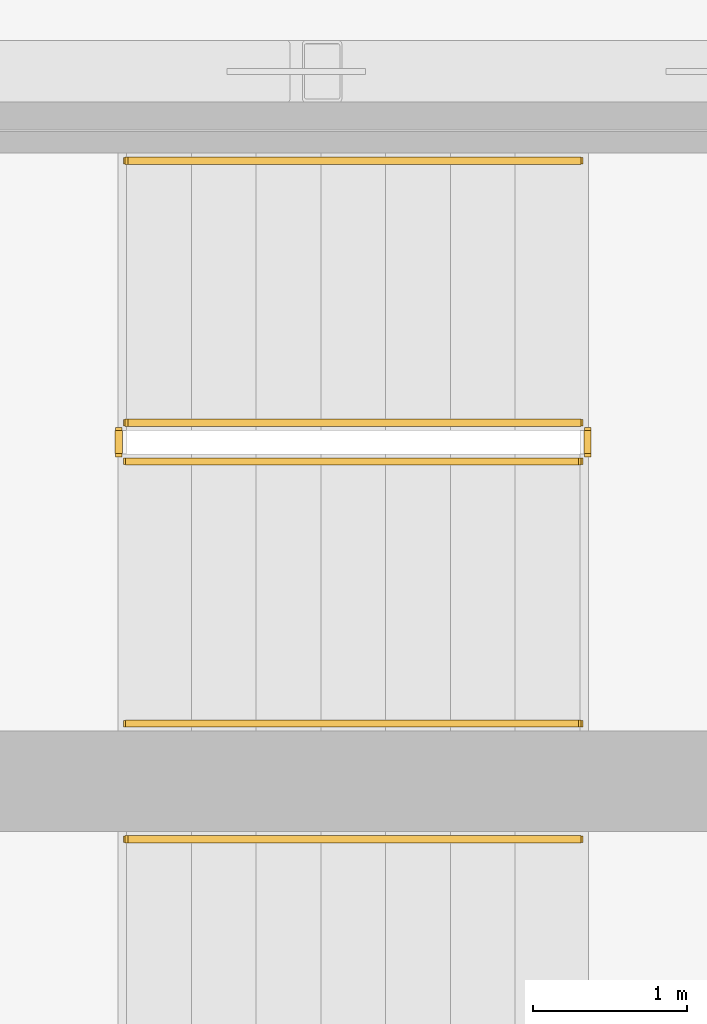
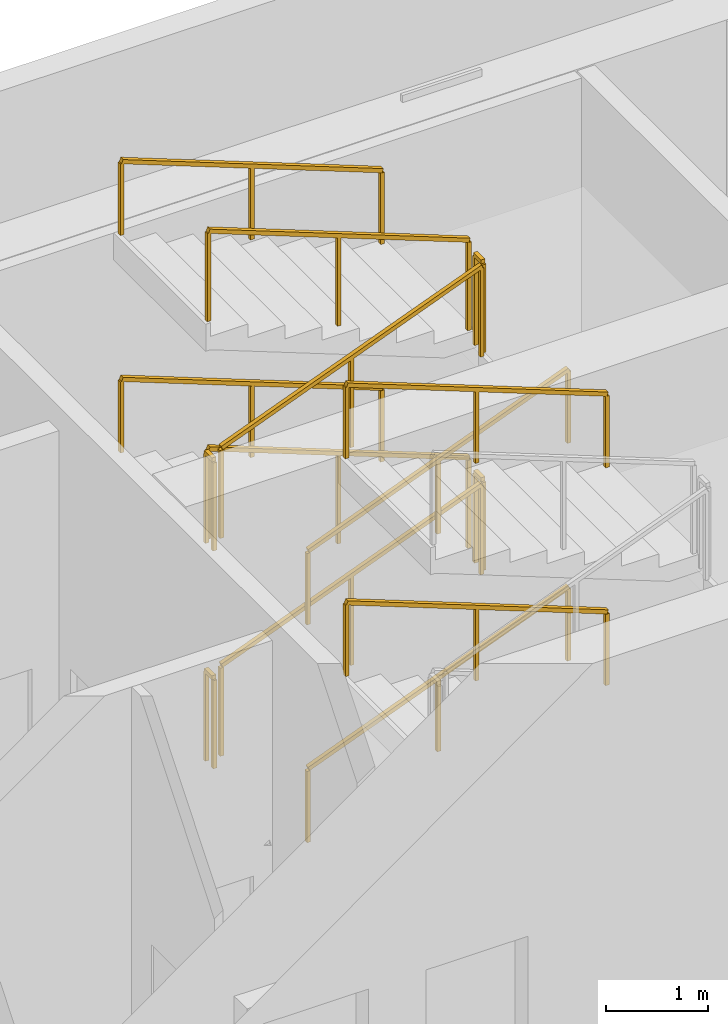
# One storey, part 8 of 8: 14 railings.
"""IFC4 building model written with IfcOpenShell, lengths in metres."""

import ifcopenshell
import ifcopenshell.guid

model = None  # the IFC model being written
_history = None  # IfcOwnerHistory: only IFC2X3 demands one
_inside = {}  # id of a spatial element -> (the spatial element, [elements in it])
_under = {}  # id of a project, library or spatial element -> (it, [spatial elements below it])
_declared = {}  # id of a project -> (the project, [libraries it declares])
_typed = {}  # id of a type object -> (the type object, [elements of that type])
_made_of = {}  # id of a material, layer set ... -> (it, [elements and type objects made of it])


def new_model(schema):
    """Start an empty IFC model of exactly this schema.

    Asked for "IFC4X3", IfcOpenShell would pick the latest addendum, in which some entities
    have other attributes; the version numbers below select the first issue.
    IFC2X3 requires an IfcOwnerHistory on every rooted entity: one is made here for all.
    """
    global model, _history
    if schema == "IFC4X3":
        model = ifcopenshell.file(schema_version=(4, 3, 0, 0))
    else:
        model = ifcopenshell.file(schema=schema)
    _inside.clear()
    _under.clear()
    _declared.clear()
    _typed.clear()
    _made_of.clear()
    _history = None
    if model.schema == "IFC2X3":
        org = make("IfcOrganization", Name="unknown")
        user = make(
            "IfcPersonAndOrganization",
            ThePerson=make("IfcPerson", FamilyName="unknown"),
            TheOrganization=org,
        )
        app = make(
            "IfcApplication",
            ApplicationDeveloper=org,
            Version="unknown",
            ApplicationFullName="unknown",
            ApplicationIdentifier="unknown",
        )
        _history = make(
            "IfcOwnerHistory",
            OwningUser=user,
            OwningApplication=app,
            ChangeAction="ADDED",
            CreationDate=0,
        )
    return model


def make(cls, **values):
    """One entity of the class cls with the attributes given. An attribute that is None is left unset."""
    return model.create_entity(
        cls, **{name: value for name, value in values.items() if value is not None}
    )


def rooted(cls, **values):
    """An entity with a GlobalId (a new one), such as an element, a storey or a relation."""
    return make(cls, GlobalId=ifcopenshell.guid.new(), OwnerHistory=_history, **values)


def si_unit(unit_type, name, prefix=None):
    """IfcSIUnit, for example si_unit("LENGTHUNIT", "METRE", prefix="MILLI")."""
    return make("IfcSIUnit", UnitType=unit_type, Prefix=prefix, Name=name)


def assignment(units):
    """IfcUnitAssignment: the units of a project."""
    return None if units is None else make("IfcUnitAssignment", Units=units)


def point(xyz):
    """IfcCartesianPoint."""
    return None if xyz is None else make("IfcCartesianPoint", Coordinates=xyz)


def direction(xyz):
    """IfcDirection."""
    return None if xyz is None else make("IfcDirection", DirectionRatios=xyz)


def frame(location, z_axis=None, x_axis=None):
    """IfcAxis2Placement3D, a coordinate frame: its origin and axes. An axis left out is left unset."""
    return make(
        "IfcAxis2Placement3D",
        Location=point(location),
        Axis=direction(z_axis),
        RefDirection=direction(x_axis),
    )


def frame_2d(location, x_axis=None):
    """IfcAxis2Placement2D, a coordinate frame in the plane: its origin and x axis."""
    return make(
        "IfcAxis2Placement2D", Location=point(location), RefDirection=direction(x_axis)
    )


def origin():
    """The frame at (0, 0, 0) with its axes left unset."""
    return frame((0.0, 0.0, 0.0))


def origin_2d():
    """The frame at (0, 0) in the plane with its x axis left unset."""
    return frame_2d((0.0, 0.0))


def place(relative_to, where):
    """IfcLocalPlacement: puts the frame where relative to a parent placement (None: the world)."""
    return make(
        "IfcLocalPlacement", PlacementRelTo=relative_to, RelativePlacement=where
    )


def context(
    kind, dimensions, precision=None, world=None, true_north=None, identifier=None
):
    """IfcGeometricRepresentationContext, for example the 3D "Model" context."""
    return make(
        "IfcGeometricRepresentationContext",
        ContextIdentifier=identifier,
        ContextType=kind,
        CoordinateSpaceDimension=dimensions,
        Precision=precision,
        WorldCoordinateSystem=world,
        TrueNorth=true_north,
    )


def subcontext(parent, identifier, kind, view, scale=None):
    """IfcGeometricRepresentationSubContext, for example "Body" below "Model"."""
    return make(
        "IfcGeometricRepresentationSubContext",
        ContextIdentifier=identifier,
        ContextType=kind,
        ParentContext=parent,
        TargetScale=scale,
        TargetView=view,
    )


def project(units=None, contexts=None):
    """IfcProject with its units and contexts."""
    return rooted(
        "IfcProject",
        Name="project",
        RepresentationContexts=contexts,
        UnitsInContext=assignment(units),
    )


def spatial(cls, under=None, at=None, **own):
    """A site, building, storey or space (cls), placed at a placement, below another one or the project."""
    s = rooted(cls, ObjectPlacement=at, **own)
    if under is not None:
        _under.setdefault(under.id(), (under, []))[1].append(s)
    return s


def profile(cls, at=None, kind="AREA", **sizes):
    """A parametric profile (cls). Its sizes go by their IFC names, for example OverallWidth=200.0."""
    return make(cls, ProfileType=kind, Position=at, **sizes)


def rectangle(**sizes):
    """IfcRectangleProfileDef."""
    return profile("IfcRectangleProfileDef", **sizes)


def extrude(swept, where, along, depth):
    """IfcExtrudedAreaSolid: the profile swept, set in the frame where, extruded along a direction by depth."""
    return make(
        "IfcExtrudedAreaSolid",
        SweptArea=swept,
        Position=where,
        ExtrudedDirection=direction(along),
        Depth=depth,
    )


def shape(context_of_items, identifier, shape_type, items):
    """IfcShapeRepresentation: the items that make up one representation, for example the "Body"."""
    return make(
        "IfcShapeRepresentation",
        ContextOfItems=context_of_items,
        RepresentationIdentifier=identifier,
        RepresentationType=shape_type,
        Items=items,
    )


def material(Name=None, Category=None):
    """IfcMaterial."""
    return make("IfcMaterial", Name=Name, Category=Category)


def layer(
    of_material, thickness, ventilated=None, Name=None, Category=None, Priority=None
):
    """IfcMaterialLayer: one layer of a wall or slab, of a material (None: an air gap)."""
    return make(
        "IfcMaterialLayer",
        Material=of_material,
        LayerThickness=thickness,
        IsVentilated=ventilated,
        Name=Name,
        Category=Category,
        Priority=Priority,
    )


def layer_set(layers, Name=None):
    """IfcMaterialLayerSet."""
    return make("IfcMaterialLayerSet", MaterialLayers=layers, LayerSetName=Name)


def made_of(thing, what):
    """Note that an element or type object is made of a material, layer set ...; save() writes the relation."""
    if what is not None:
        _made_of.setdefault(what.id(), (what, []))[1].append(thing)
    return thing


def type_object(cls, material=None, **own):
    """A type object (cls), such as IfcWallType, which elements share."""
    return made_of(rooted(cls, **own), material)


def element(
    cls,
    number,
    at=None,
    inside=None,
    cuts=None,
    type_object=None,
    material=None,
    context=None,
    identifier="Body",
    shape_type=None,
    held_by="IfcProductDefinitionShape",
    body=None,
    shapes=None,
    **own,
):
    """One element of the class cls, such as IfcWall. Its Tag is "e" and its number.

    at: its placement. inside: the storey or other place that contains it. cuts: it is an
    opening in that element (IfcRelVoidsElement). A single representation is given by context,
    identifier, shape_type and body (its items); several are given by shapes. held_by: the class
    of the entity that holds the representations. save() writes the other relations.
    """
    e = rooted(cls, Tag="e%d" % number, ObjectPlacement=at, **own)
    if body is not None:
        shapes = [shape(context, identifier, shape_type, body)]
    if shapes is not None:
        e.Representation = make(held_by, Representations=shapes)
    if inside is not None:
        _inside.setdefault(inside.id(), (inside, []))[1].append(e)
    if cuts is not None:
        rooted(
            "IfcRelVoidsElement", RelatingBuildingElement=cuts, RelatedOpeningElement=e
        )
    if type_object is not None:
        _typed.setdefault(type_object.id(), (type_object, []))[1].append(e)
    return made_of(e, material)


def aggregate(whole, parts):
    """IfcRelAggregates: a whole, such as a stair, and the parts it consists of."""
    return rooted("IfcRelAggregates", RelatingObject=whole, RelatedObjects=parts)


def save(model, path):
    """Write the relations noted so far, then the file.

    IfcRelAggregates (storeys below a building ...), IfcRelContainedInSpatialStructure (elements
    in a storey), IfcRelDefinesByType, IfcRelAssociatesMaterial and IfcRelDeclares: one each for
    every whole, place, type object, material and project.
    """
    for whole, parts in _under.values():
        aggregate(whole, parts)
    for where, things in _inside.values():
        rooted(
            "IfcRelContainedInSpatialStructure",
            RelatedElements=things,
            RelatingStructure=where,
        )
    for kind, things in _typed.values():
        rooted("IfcRelDefinesByType", RelatedObjects=things, RelatingType=kind)
    for what, things in _made_of.values():
        rooted("IfcRelAssociatesMaterial", RelatedObjects=things, RelatingMaterial=what)
    for by, libraries in _declared.values():
        rooted("IfcRelDeclares", RelatingContext=by, RelatedDefinitions=libraries)
    model.write(path)


model = new_model("IFC4")

# Units and contexts
model_context = context("Model", 3, precision=1e-05, world=origin(), true_north=direction((0.0, 1.0)))
body_context = subcontext(model_context, "Body", "Model", "MODEL_VIEW")
ifc_project = project(units=[si_unit("LENGTHUNIT", "METRE"), si_unit("AREAUNIT", "SQUARE_METRE"), si_unit("VOLUMEUNIT", "CUBIC_METRE"), si_unit("PLANEANGLEUNIT", "RADIAN"), si_unit("MASSUNIT", "GRAM", prefix="KILO")], contexts=[model_context])

# Site, building, storey
site_placement = place(None, origin())
site = spatial("IfcSite", under=ifc_project, at=site_placement, CompositionType="ELEMENT")
building_placement = place(site_placement, origin())
building = spatial("IfcBuilding", under=site, at=building_placement, Name="Caeloran Harvest Quay", CompositionType="ELEMENT")
storey_placement = place(building_placement, frame((0.0, 0.0, 106.199951171875)))
storey = spatial("IfcBuildingStorey", under=building, at=storey_placement, Name="L24", CompositionType="ELEMENT", Elevation=106.199951171875)

# Railings
ifc_material_1 = material(Name="Painted Steel Baluster and Top-Rail Stair Guard", Category="steel")
ifc_layer_1 = layer(ifc_material_1, 0.050048828125, Name="Painted Steel Baluster and Top-Rail Stair Guard")
ifc_layer_set_1 = layer_set([ifc_layer_1], Name="Painted Steel Baluster and Top-Rail Stair Guard")
railing_type_1 = type_object("IfcRailingType", Name="STAIR-GUARD-1100", PredefinedType="GUARDRAIL", material=ifc_layer_set_1)
railing_1_placement = place(storey_placement, frame((15.89990234375, 38.25, 0.16259765625)))
element("IfcRailing", 1, at=railing_1_placement, inside=storey, type_object=railing_type_1, Name="L24 ST-C1 stair guard 1", PredefinedType="GUARDRAIL", context=body_context, shape_type="SweptSolid", body=[
    extrude(rectangle(XDim=0.048095703125, YDim=0.048095703125, at=origin_2d()), frame((0.0, 0.0, 1.076171875), z_axis=(0.932641246608, 0.0, 0.360805079129), x_axis=(0.0, 1.0, 0.0)), (0.0, 0.0, 1.0), 3.152587890625),
    extrude(rectangle(XDim=0.0419921875, YDim=0.0419921875, at=origin_2d()), origin(), (0.0, 0.0, 1.0), 1.052001953125),
    extrude(rectangle(XDim=0.0419921875, YDim=0.0419921875, at=origin_2d()), frame((1.47021484375, 0.0, 0.56884765625)), (0.0, 0.0, 1.0), 1.052001953125),
    extrude(rectangle(XDim=0.0419921875, YDim=0.0419921875, at=origin_2d()), frame((2.940185546875, 0.0, 1.137451171875)), (0.0, 0.0, 1.0), 1.052001953125),
])
railing_2_placement = place(storey_placement, frame((18.889892578125, 38.300048828125, 1.300048828125)))
element("IfcRailing", 2, at=railing_2_placement, inside=storey, type_object=railing_type_1, Name="L24 ST-C1 stair guard 2", PredefinedType="GUARDRAIL", context=body_context, shape_type="SweptSolid", body=[
    extrude(rectangle(XDim=0.048095703125, YDim=0.048095703125, at=origin_2d()), frame((0.0, 0.0, 1.076171875), z_axis=(0.0, 1.0, 0.0), x_axis=(-1.0, 0.0, 0.0)), (0.0, 0.0, 1.0), 0.14990234375),
    extrude(rectangle(XDim=0.0419921875, YDim=0.0419921875, at=origin_2d()), origin(), (0.0, 0.0, 1.0), 1.052001953125),
    extrude(rectangle(XDim=0.0419921875, YDim=0.0419921875, at=origin_2d()), frame((0.0, 0.14990234375, 0.0)), (0.0, 0.0, 1.0), 1.052001953125),
])
railing_3_placement = place(storey_placement, frame((18.840087890625, 38.5, 1.462646484375)))
element("IfcRailing", 3, at=railing_3_placement, inside=storey, type_object=railing_type_1, Name="L24 ST-C1 stair guard 3", PredefinedType="GUARDRAIL", context=body_context, shape_type="SweptSolid", body=[
    extrude(rectangle(XDim=0.048095703125, YDim=0.048095703125, at=origin_2d()), frame((0.0, 0.0, 1.076171875), z_axis=(-0.932641246608, 0.0, 0.360805079129), x_axis=(0.0, -1.0, 0.0)), (0.0, 0.0, 1.0), 3.152587890625),
    extrude(rectangle(XDim=0.0419921875, YDim=0.0419921875, at=origin_2d()), origin(), (0.0, 0.0, 1.0), 1.052001953125),
    extrude(rectangle(XDim=0.0419921875, YDim=0.0419921875, at=origin_2d()), frame((-1.47021484375, 0.0, 0.56884765625)), (0.0, 0.0, 1.0), 1.052001953125),
    extrude(rectangle(XDim=0.0419921875, YDim=0.0419921875, at=origin_2d()), frame((-2.940185546875, 0.0, 1.137451171875)), (0.0, 0.0, 1.0), 1.052001953125),
])
railing_4_placement = place(storey_placement, frame((15.85009765625, 38.300048828125, 2.60009765625)))
element("IfcRailing", 4, at=railing_4_placement, inside=storey, type_object=railing_type_1, Name="L24 ST-C1 stair guard 4", PredefinedType="GUARDRAIL", context=body_context, shape_type="SweptSolid", body=[
    extrude(rectangle(XDim=0.048095703125, YDim=0.048095703125, at=origin_2d()), frame((0.0, 0.0, 1.076171875), z_axis=(0.0, 1.0, 0.0), x_axis=(-1.0, 0.0, 0.0)), (0.0, 0.0, 1.0), 0.14990234375),
    extrude(rectangle(XDim=0.0419921875, YDim=0.0419921875, at=origin_2d()), origin(), (0.0, 0.0, 1.0), 1.052001953125),
    extrude(rectangle(XDim=0.0419921875, YDim=0.0419921875, at=origin_2d()), frame((0.0, 0.14990234375, 0.0)), (0.0, 0.0, 1.0), 1.052001953125),
])
railing_5_placement = place(storey_placement, frame((15.89990234375, 38.25, 2.762451171875)))
element("IfcRailing", 5, at=railing_5_placement, inside=storey, type_object=railing_type_1, Name="L24 ST-C1 stair guard 5", PredefinedType="GUARDRAIL", context=body_context, shape_type="SweptSolid", body=[
    extrude(rectangle(XDim=0.048095703125, YDim=0.048095703125, at=origin_2d()), frame((0.0, 0.0, 1.076171875), z_axis=(0.932615185337, 0.0, 0.360872437405), x_axis=(0.0, 1.0, 0.0)), (0.0, 0.0, 1.0), 3.152587890625),
    extrude(rectangle(XDim=0.0419921875, YDim=0.0419921875, at=origin_2d()), origin(), (0.0, 0.0, 1.0), 1.052001953125),
    extrude(rectangle(XDim=0.0419921875, YDim=0.0419921875, at=origin_2d()), frame((1.47021484375, 0.0, 0.56884765625)), (0.0, 0.0, 1.0), 1.052001953125),
    extrude(rectangle(XDim=0.0419921875, YDim=0.0419921875, at=origin_2d()), frame((2.940185546875, 0.0, 1.1376953125)), (0.0, 0.0, 1.0), 1.052001953125),
])
railing_6_placement = place(storey_placement, frame((18.889892578125, 38.300048828125, 3.900146484375)))
element("IfcRailing", 6, at=railing_6_placement, inside=storey, type_object=railing_type_1, Name="L24 ST-C1 stair guard 6", PredefinedType="GUARDRAIL", context=body_context, shape_type="SweptSolid", body=[
    extrude(rectangle(XDim=0.048095703125, YDim=0.048095703125, at=origin_2d()), frame((0.0, 0.0, 1.076171875), z_axis=(0.0, 1.0, 0.0), x_axis=(-1.0, 0.0, 0.0)), (0.0, 0.0, 1.0), 0.14990234375),
    extrude(rectangle(XDim=0.0419921875, YDim=0.0419921875, at=origin_2d()), origin(), (0.0, 0.0, 1.0), 1.052001953125),
    extrude(rectangle(XDim=0.0419921875, YDim=0.0419921875, at=origin_2d()), frame((0.0, 0.14990234375, 0.0)), (0.0, 0.0, 1.0), 1.052001953125),
])
railing_7_placement = place(storey_placement, frame((18.840087890625, 38.5, 4.0625)))
element("IfcRailing", 7, at=railing_7_placement, inside=storey, type_object=railing_type_1, Name="L24 ST-C1 stair guard 7", PredefinedType="GUARDRAIL", context=body_context, shape_type="SweptSolid", body=[
    extrude(rectangle(XDim=0.048095703125, YDim=0.048095703125, at=origin_2d()), frame((0.0, 0.0, 1.076171875), z_axis=(-0.932641246608, 0.0, 0.360805079129), x_axis=(0.0, -1.0, 0.0)), (0.0, 0.0, 1.0), 3.152587890625),
    extrude(rectangle(XDim=0.0419921875, YDim=0.0419921875, at=origin_2d()), origin(), (0.0, 0.0, 1.0), 1.052001953125),
    extrude(rectangle(XDim=0.0419921875, YDim=0.0419921875, at=origin_2d()), frame((-1.47021484375, 0.0, 0.56884765625)), (0.0, 0.0, 1.0), 1.052001953125),
    extrude(rectangle(XDim=0.0419921875, YDim=0.0419921875, at=origin_2d()), frame((-2.940185546875, 0.0, 1.137451171875)), (0.0, 0.0, 1.0), 1.052001953125),
])
railing_8_placement = place(storey_placement, frame((15.85009765625, 38.300048828125, 0.0)))
element("IfcRailing", 8, at=railing_8_placement, inside=storey, type_object=railing_type_1, Name="L24 ST-C1 stair guard 8", PredefinedType="GUARDRAIL", context=body_context, shape_type="SweptSolid", body=[
    extrude(rectangle(XDim=0.048095703125, YDim=0.048095703125, at=origin_2d()), frame((0.0, 0.0, 1.076171875), z_axis=(0.0, 1.0, 0.0), x_axis=(-1.0, 0.0, 0.0)), (0.0, 0.0, 1.0), 0.14990234375),
    extrude(rectangle(XDim=0.0419921875, YDim=0.0419921875, at=origin_2d()), origin(), (0.0, 0.0, 1.0), 1.052001953125),
    extrude(rectangle(XDim=0.0419921875, YDim=0.0419921875, at=origin_2d()), frame((0.0, 0.14990234375, 0.0)), (0.0, 0.0, 1.0), 1.052001953125),
])
ifc_material_2 = material(Name="Brushed Stainless Steel Grade 304", Category="steel")
ifc_layer_2 = layer(ifc_material_2, 0.050048828125, Name="Brushed Stainless Steel Grade 304")
ifc_layer_set_2 = layer_set([ifc_layer_2], Name="Brushed Stainless Steel Grade 304")
railing_type_2 = type_object("IfcRailingType", Name="STAIR-HANDRAIL-900", PredefinedType="HANDRAIL", material=ifc_layer_set_2)
railing_9_placement = place(storey_placement, frame((15.89990234375, 36.550048828125, 0.16259765625)))
element("IfcRailing", 9, at=railing_9_placement, inside=storey, type_object=railing_type_2, Name="L24 ST-C1 stair handrail 1", PredefinedType="HANDRAIL", context=body_context, shape_type="SweptSolid", body=[
    extrude(rectangle(XDim=0.048095703125, YDim=0.048095703125, at=origin_2d()), frame((0.0, 0.0, 0.8759765625), z_axis=(0.932641246608, 0.0, 0.360805079129), x_axis=(0.0, 1.0, 0.0)), (0.0, 0.0, 1.0), 3.152587890625),
    extrude(rectangle(XDim=0.0419921875, YDim=0.0419921875, at=origin_2d()), origin(), (0.0, 0.0, 1.0), 0.851806640625),
    extrude(rectangle(XDim=0.0419921875, YDim=0.0419921875, at=origin_2d()), frame((1.47021484375, 0.0, 0.56884765625)), (0.0, 0.0, 1.0), 0.851806640625),
    extrude(rectangle(XDim=0.0419921875, YDim=0.0419921875, at=origin_2d()), frame((2.940185546875, 0.0, 1.137451171875)), (0.0, 0.0, 1.0), 0.851806640625),
])
railing_10_placement = place(storey_placement, frame((18.840087890625, 40.199951171875, 1.462646484375)))
element("IfcRailing", 10, at=railing_10_placement, inside=storey, type_object=railing_type_2, Name="L24 ST-C1 stair handrail 2", PredefinedType="HANDRAIL", context=body_context, shape_type="SweptSolid", body=[
    extrude(rectangle(XDim=0.048095703125, YDim=0.048095703125, at=origin_2d()), frame((0.0, 0.0, 0.8759765625), z_axis=(-0.932641246608, 0.0, 0.360805079129), x_axis=(0.0, -1.0, 0.0)), (0.0, 0.0, 1.0), 3.152587890625),
    extrude(rectangle(XDim=0.0419921875, YDim=0.0419921875, at=origin_2d()), origin(), (0.0, 0.0, 1.0), 0.851806640625),
    extrude(rectangle(XDim=0.0419921875, YDim=0.0419921875, at=origin_2d()), frame((-1.47021484375, 0.0, 0.56884765625)), (0.0, 0.0, 1.0), 0.851806640625),
    extrude(rectangle(XDim=0.0419921875, YDim=0.0419921875, at=origin_2d()), frame((-2.940185546875, 0.0, 1.137451171875)), (0.0, 0.0, 1.0), 0.851806640625),
])
railing_11_placement = place(storey_placement, frame((15.89990234375, 36.550048828125, 2.762451171875)))
element("IfcRailing", 11, at=railing_11_placement, inside=storey, type_object=railing_type_2, Name="L24 ST-C1 stair handrail 3", PredefinedType="HANDRAIL", context=body_context, shape_type="SweptSolid", body=[
    extrude(rectangle(XDim=0.048095703125, YDim=0.048095703125, at=origin_2d()), frame((0.0, 0.0, 0.8759765625), z_axis=(0.932615185337, 0.0, 0.360872437405), x_axis=(0.0, 1.0, 0.0)), (0.0, 0.0, 1.0), 3.152587890625),
    extrude(rectangle(XDim=0.0419921875, YDim=0.0419921875, at=origin_2d()), origin(), (0.0, 0.0, 1.0), 0.851806640625),
    extrude(rectangle(XDim=0.0419921875, YDim=0.0419921875, at=origin_2d()), frame((1.47021484375, 0.0, 0.56884765625)), (0.0, 0.0, 1.0), 0.851806640625),
    extrude(rectangle(XDim=0.0419921875, YDim=0.0419921875, at=origin_2d()), frame((2.940185546875, 0.0, 1.1376953125)), (0.0, 0.0, 1.0), 0.851806640625),
])
for number, where, name in (
    (12, (18.840087890625, 40.199951171875, 4.0625), "L24 ST-C1 stair handrail 4"),
    (13, (18.840087890625, 35.800048828125, 1.462646484375), "L24 ST-C2 stair handrail 2"),
    (14, (18.840087890625, 35.800048828125, 4.0625), "L24 ST-C2 stair handrail 4"),
):
    element("IfcRailing", number, at=place(storey_placement, frame(where)), inside=storey, type_object=railing_type_2, Name=name, PredefinedType="HANDRAIL", context=body_context, shape_type="SweptSolid", body=[
        extrude(rectangle(XDim=0.048095703125, YDim=0.048095703125, at=origin_2d()), frame((0.0, 0.0, 0.8759765625), z_axis=(-0.932641246608, 0.0, 0.360805079129), x_axis=(0.0, -1.0, 0.0)), (0.0, 0.0, 1.0), 3.152587890625),
        extrude(rectangle(XDim=0.0419921875, YDim=0.0419921875, at=origin_2d()), origin(), (0.0, 0.0, 1.0), 0.851806640625),
        extrude(rectangle(XDim=0.0419921875, YDim=0.0419921875, at=origin_2d()), frame((-1.47021484375, 0.0, 0.56884765625)), (0.0, 0.0, 1.0), 0.851806640625),
        extrude(rectangle(XDim=0.0419921875, YDim=0.0419921875, at=origin_2d()), frame((-2.940185546875, 0.0, 1.137451171875)), (0.0, 0.0, 1.0), 0.851806640625),
    ])

save(model, "model.ifc")
